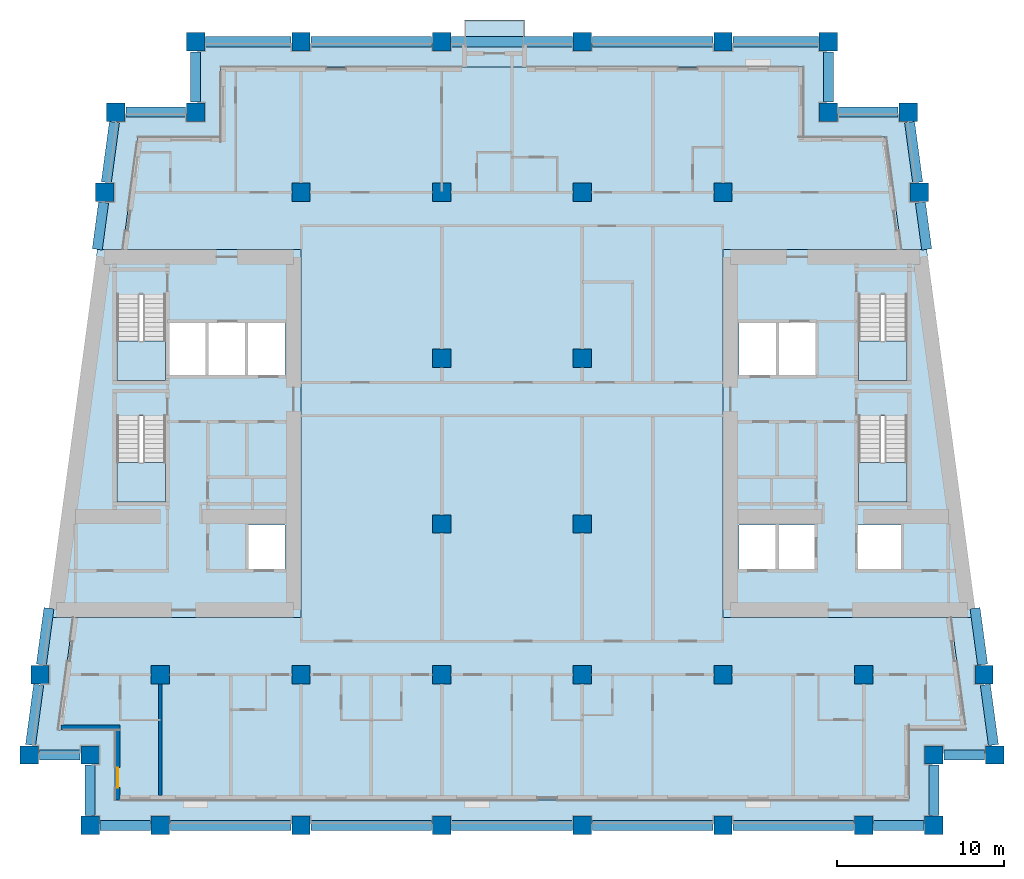
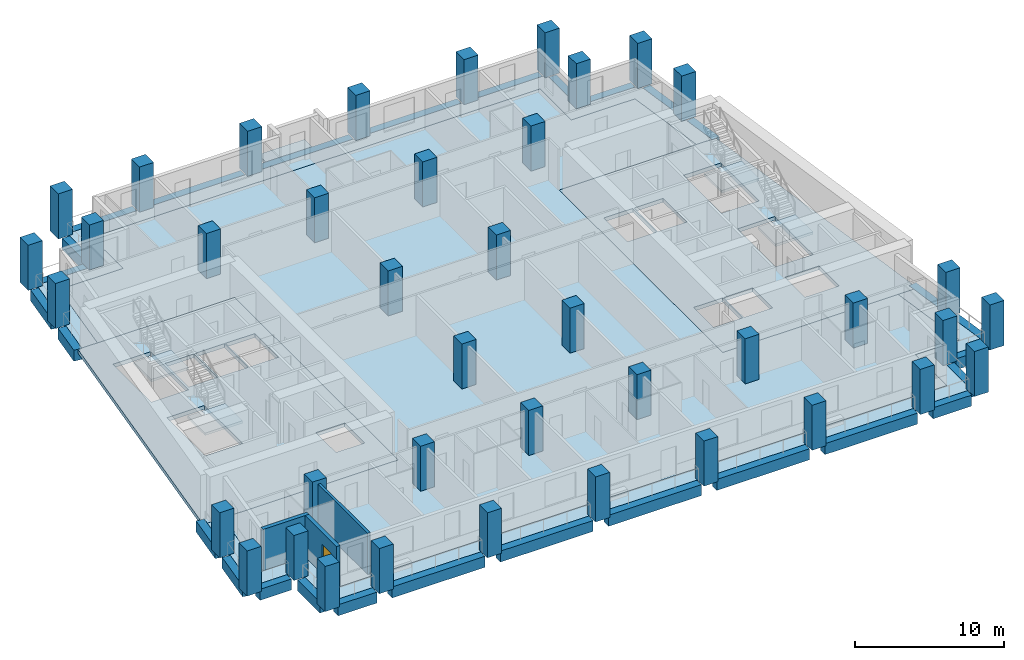
# One storey, part 1 of 12: 40 columns, 28 beams, 10 slabs, 3 walls, 1 door, 1 opening, 4 elements without a shape of their own.
"""IFC4 building model written with IfcOpenShell, lengths in metres."""

from ifc_helpers import new_model, si_unit, direction, frame, frame_2d, origin, origin_2d, place, context, subcontext, project, spatial, polyline, rectangle, outline, extrude, material, layer, layer_set, material_profile, profile_set, type_object, element, fill, aggregate, save


model = new_model("IFC4")

# Units and contexts
model_context = context("Model", 3, precision=1e-05, world=origin(), true_north=direction((0.0, 1.0)))
body_context = subcontext(model_context, "Body", "Model", "MODEL_VIEW")
ifc_project = project(units=[si_unit("LENGTHUNIT", "METRE"), si_unit("AREAUNIT", "SQUARE_METRE"), si_unit("VOLUMEUNIT", "CUBIC_METRE"), si_unit("PLANEANGLEUNIT", "RADIAN"), si_unit("MASSUNIT", "GRAM", prefix="KILO")], contexts=[model_context])

# Site, building, storey
site_placement = place(None, origin())
site = spatial("IfcSite", under=ifc_project, at=site_placement, CompositionType="ELEMENT")
building_placement = place(site_placement, origin())
building = spatial("IfcBuilding", under=site, at=building_placement, Name="Candeia Pilgrim Tower and Theatre", CompositionType="ELEMENT")
storey_placement = place(building_placement, frame((0.0, 0.0, 147.800048828125)))
storey = spatial("IfcBuildingStorey", under=building, at=storey_placement, Name="L34", CompositionType="ELEMENT", Elevation=147.800048828125)

# Columns
ifc_material_1 = material(Name="Concrete C60/75", Category="concrete")
ifc_material_profile_1 = material_profile(ifc_material_1, rectangle(XDim=1.10009765625, YDim=1.10009765625, at=origin_2d()))
ifc_profile_set_1 = profile_set([ifc_material_profile_1], Name="Concrete C60/75")
column_type = type_object("IfcColumnType", Name="RC 1100x1100 C60/75", PredefinedType="COLUMN", material=ifc_profile_set_1)
for number, where, z_axis, x_axis, name in (
    (1, (92.39990234375, 98.0, 0.0), (0.0, 0.0, 1.0), (1.0, 0.0, 0.0), "Column A1"),
    (2, (100.800048828125, 98.0, 0.0), (0.0, 0.0, 1.0), (1.0, 0.0, 0.0), "Column A2"),
    (3, (109.199951171875, 98.0, 0.0), (0.0, 0.0, 1.0), (1.0, 0.0, 0.0), "Column A3"),
    (4, (117.60009765625, 98.0, 0.0), (0.0, 0.0, 1.0), (1.0, 0.0, 0.0), "Column A4"),
    (5, (126.0, 98.0, 0.0), (0.0, 0.0, 1.0), (1.0, 0.0, 0.0), "Column A5"),
    (6, (134.39990234375, 98.0, 0.0), (0.0, 0.0, 1.0), (1.0, 0.0, 0.0), "Column A6"),
    (7, (88.199951171875, 98.0, 0.0), (0.0, 0.0, 1.0), (1.0, 0.0, 0.0), "Column AW"),
    (8, (138.60009765625, 98.0, 0.0), (0.0, 0.0, 1.0), (1.0, 0.0, 0.0), "Column AE"),
    (9, (88.199951171875, 102.199951171875, 0.0), (0.0, 0.0, 1.0), (1.0, 0.0, 0.0), "Column NSW"),
    (10, (138.60009765625, 102.199951171875, 0.0), (0.0, 0.0, 1.0), (1.0, 0.0, 0.0), "Column NSE"),
    (11, (94.5, 140.60009765625, 0.0), (0.0, 0.0, 1.0), (1.0, 0.0, 0.0), "Column NNW"),
    (12, (132.300048828125, 140.60009765625, 0.0), (0.0, 0.0, 1.0), (1.0, 0.0, 0.0), "Column NNE"),
    (13, (84.5654296875, 102.199951171875, 0.0), (0.0, 0.0, 1.0), (1.0, 0.0, 0.0), "Column LSW"),
    (14, (142.234619140625, 102.199951171875, 0.0), (0.0, 0.0, 1.0), (1.0, 0.0, 0.0), "Column LSE"),
    (15, (89.734619140625, 140.60009765625, 0.0), (0.0, 0.0, 1.0), (1.0, 0.0, 0.0), "Column LNW"),
    (16, (137.0654296875, 140.60009765625, 0.0), (0.0, 0.0, 1.0), (1.0, 0.0, 0.0), "Column LNE"),
    (17, (92.39990234375, 107.0, 0.0), (0.0, 0.0, 1.0), (1.0, 0.0, 0.0), "Column B1"),
    (18, (100.800048828125, 107.0, 0.0), (0.0, 0.0, 1.0), (1.0, 0.0, 0.0), "Column B2"),
    (19, (109.199951171875, 107.0, 0.0), (0.0, 0.0, 1.0), (1.0, 0.0, 0.0), "Column B3"),
    (20, (117.60009765625, 107.0, 0.0), (0.0, 0.0, 1.0), (1.0, 0.0, 0.0), "Column B4"),
    (21, (126.0, 107.0, 0.0), (0.0, 0.0, 1.0), (1.0, 0.0, 0.0), "Column B5"),
    (22, (134.39990234375, 107.0, 0.0), (0.0, 0.0, 1.0), (1.0, 0.0, 0.0), "Column B6"),
    (23, (85.21142578125, 107.0, 0.0), (0.0, 0.0, 1.0), (1.0, 0.0, 0.0), "Column BW"),
    (24, (141.58837890625, 107.0, 0.0), (0.0, 0.0, 1.0), (1.0, 0.0, 0.0), "Column BE"),
    (25, (109.199951171875, 116.0, 0.0), (0.0, 0.0, 1.0), (1.0, 0.0, 0.0), "Column C3"),
    (26, (117.60009765625, 116.0, 0.0), (0.0, 0.0, 1.0), (1.0, 0.0, 0.0), "Column C4"),
    (27, (109.199951171875, 125.89990234375, 0.0), (0.0, 0.0, 1.0), (1.0, 0.0, 0.0), "Column D3"),
    (28, (117.60009765625, 125.89990234375, 0.0), (0.0, 0.0, 1.0), (1.0, 0.0, 0.0), "Column D4"),
    (29, (100.800048828125, 135.800048828125, 0.0), (0.0, 0.0, 1.0), (1.0, 0.0, 0.0), "Column E2"),
    (30, (109.199951171875, 135.800048828125, 0.0), (0.0, 0.0, 1.0), (1.0, 0.0, 0.0), "Column E3"),
    (31, (117.60009765625, 135.800048828125, 0.0), (0.0, 0.0, 1.0), (1.0, 0.0, 0.0), "Column E4"),
    (32, (126.0, 135.800048828125, 0.0), (0.0, 0.0, 1.0), (1.0, 0.0, 0.0), "Column E5"),
    (33, (89.08837890625, 135.800048828125, 0.0), (0.0, 0.0, 1.0), (1.0, 0.0, 0.0), "Column EW"),
    (34, (137.71142578125, 135.800048828125, 0.0), (0.0, 0.0, 1.0), (1.0, 0.0, 0.0), "Column EE"),
    (35, (100.800048828125, 144.800048828125, 0.0), (0.0, 0.0, 1.0), (1.0, 0.0, 0.0), "Column F2"),
    (36, (109.199951171875, 144.800048828125, 0.0), (0.0, 0.0, 1.0), (1.0, 0.0, 0.0), "Column F3"),
    (37, (117.60009765625, 144.800048828125, 0.0), (0.0, 0.0, 1.0), (1.0, 0.0, 0.0), "Column F4"),
    (38, (126.0, 144.800048828125, 0.0), (0.0, 0.0, 1.0), (1.0, 0.0, 0.0), "Column F5"),
    (39, (94.5, 144.800048828125, 0.0), (0.0, 0.0, 1.0), (1.0, 0.0, 0.0), "Column FW"),
    (40, (132.300048828125, 144.800048828125, 0.0), (0.0, 0.0, 1.0), (1.0, 0.0, 0.0), "Column FE"),
):
    element("IfcColumn", number, at=place(storey_placement, frame(where, z_axis=z_axis, x_axis=x_axis)), inside=storey, type_object=column_type, Name=name, PredefinedType="COLUMN", context=body_context, shape_type="SweptSolid", body=[
        extrude(rectangle(XDim=1.10009765625, YDim=1.10009765625, at=origin_2d()), origin(), (0.0, 0.0, 1.0), 3.699951171875),
    ])

# Beams
ifc_material_profile_2 = material_profile(ifc_material_1, rectangle(XDim=0.60009765625, YDim=0.89990234375, at=origin_2d()))
ifc_profile_set_2 = profile_set([ifc_material_profile_2], Name="Concrete C60/75")
beam_type = type_object("IfcBeamType", Name="RC 600x900 C60/75", PredefinedType="BEAM", material=ifc_profile_set_2)
beam_1_placement = place(storey_placement, frame((88.800048828125, 98.0, -0.449951171875), z_axis=(1.0, 0.0, 0.0), x_axis=(0.0, 1.0, 0.0)))
element("IfcBeam", 41, at=beam_1_placement, inside=storey, type_object=beam_type, Name="Spandrel beam L34-01", PredefinedType="BEAM", context=body_context, shape_type="SweptSolid", body=[
    extrude(rectangle(XDim=0.60009765625, YDim=0.89990234375, at=origin_2d()), origin(), (0.0, 0.0, 1.0), 3.0),
])
beam_2_placement = place(storey_placement, frame((93.0, 98.0, -0.449951171875), z_axis=(1.0, 0.0, 0.0), x_axis=(0.0, 1.0, 0.0)))
element("IfcBeam", 42, at=beam_2_placement, inside=storey, type_object=beam_type, Name="Spandrel beam L34-02", PredefinedType="BEAM", context=body_context, shape_type="SweptSolid", body=[
    extrude(rectangle(XDim=0.60009765625, YDim=0.89990234375, at=origin_2d()), origin(), (0.0, 0.0, 1.0), 7.199951171875),
])
beam_3_placement = place(storey_placement, frame((101.39990234375, 98.0, -0.449951171875), z_axis=(1.0, 0.0, 0.0), x_axis=(0.0, 1.0, 0.0)))
element("IfcBeam", 43, at=beam_3_placement, inside=storey, type_object=beam_type, Name="Spandrel beam L34-03", PredefinedType="BEAM", context=body_context, shape_type="SweptSolid", body=[
    extrude(rectangle(XDim=0.60009765625, YDim=0.89990234375, at=origin_2d()), origin(), (0.0, 0.0, 1.0), 7.2001953125),
])
for number, where, z_axis, x_axis, name in (
    (44, (109.800048828125, 98.0, -0.449951171875), (1.0, 0.0, 0.0), (0.0, 1.0, 0.0), "Spandrel beam L34-04"),
    (45, (118.199951171875, 98.0, -0.449951171875), (1.0, 0.0, 0.0), (0.0, 1.0, 0.0), "Spandrel beam L34-05"),
    (46, (126.60009765625, 98.0, -0.449951171875), (1.0, 0.0, 0.0), (0.0, 1.0, 0.0), "Spandrel beam L34-06"),
):
    element("IfcBeam", number, at=place(storey_placement, frame(where, z_axis=z_axis, x_axis=x_axis)), inside=storey, type_object=beam_type, Name=name, PredefinedType="BEAM", context=body_context, shape_type="SweptSolid", body=[
        extrude(rectangle(XDim=0.60009765625, YDim=0.89990234375, at=origin_2d()), origin(), (0.0, 0.0, 1.0), 7.199951171875),
    ])
for number, where, z_axis, x_axis, name in (
    (47, (135.0, 98.0, -0.449951171875), (1.0, 0.0, 0.0), (0.0, 1.0, 0.0), "Spandrel beam L34-07"),
    (48, (138.60009765625, 98.60009765625, -0.449951171875), (0.0, 1.0, 0.0), (-1.0, 0.0, 0.0), "Spandrel beam L34-08"),
):
    element("IfcBeam", number, at=place(storey_placement, frame(where, z_axis=z_axis, x_axis=x_axis)), inside=storey, type_object=beam_type, Name=name, PredefinedType="BEAM", context=body_context, shape_type="SweptSolid", body=[
        extrude(rectangle(XDim=0.60009765625, YDim=0.89990234375, at=origin_2d()), origin(), (0.0, 0.0, 1.0), 3.0),
    ])
beam_4_placement = place(storey_placement, frame((139.199951171875, 102.199951171875, -0.449951171875), z_axis=(1.0, 0.0, 0.0), x_axis=(0.0, 1.0, 0.0)))
element("IfcBeam", 49, at=beam_4_placement, inside=storey, type_object=beam_type, Name="Spandrel beam L34-09", PredefinedType="BEAM", context=body_context, shape_type="SweptSolid", body=[
    extrude(rectangle(XDim=0.60009765625, YDim=0.89990234375, at=origin_2d()), origin(), (0.0, 0.0, 1.0), 2.4345703125),
])
beam_5_placement = place(storey_placement, frame((142.15380859375, 102.800048828125, -0.449951171875), z_axis=(-0.133418359924, 0.991059807093, 0.0), x_axis=(-0.991059807093, -0.133418359924, 0.0)))
element("IfcBeam", 50, at=beam_5_placement, inside=storey, type_object=beam_type, Name="Spandrel beam L34-10", PredefinedType="BEAM", context=body_context, shape_type="SweptSolid", body=[
    extrude(rectangle(XDim=0.60009765625, YDim=0.89990234375, at=origin_2d()), origin(), (0.0, 0.0, 1.0), 3.63232421875),
])
beam_6_placement = place(storey_placement, frame((141.5078125, 107.60009765625, -0.449951171875), z_axis=(-0.133458165992, 0.99105444751, 0.0), x_axis=(-0.99105444751, -0.133458165992, 0.0)))
element("IfcBeam", 51, at=beam_6_placement, inside=storey, type_object=beam_type, Name="Spandrel beam L34-11", PredefinedType="BEAM", context=body_context, shape_type="SweptSolid", body=[
    extrude(rectangle(XDim=0.60009765625, YDim=0.89990234375, at=origin_2d()), origin(), (0.0, 0.0, 1.0), 3.39697265625),
])
beam_7_placement = place(storey_placement, frame((138.169189453125, 132.39990234375, -0.449951171875), z_axis=(-0.133420173099, 0.991059562998, 0.0), x_axis=(-0.991059562998, -0.133420173099, 0.0)))
element("IfcBeam", 52, at=beam_7_placement, inside=storey, type_object=beam_type, Name="Spandrel beam L34-12", PredefinedType="BEAM", context=body_context, shape_type="SweptSolid", body=[
    extrude(rectangle(XDim=0.60009765625, YDim=0.89990234375, at=origin_2d()), origin(), (0.0, 0.0, 1.0), 2.8251953125),
])
beam_8_placement = place(storey_placement, frame((137.630859375, 136.39990234375, -0.449951171875), z_axis=(-0.133409473196, 0.991061003401, 0.0), x_axis=(-0.991061003401, -0.133409473196, 0.0)))
element("IfcBeam", 53, at=beam_8_placement, inside=storey, type_object=beam_type, Name="Spandrel beam L34-13", PredefinedType="BEAM", context=body_context, shape_type="SweptSolid", body=[
    extrude(rectangle(XDim=0.60009765625, YDim=0.89990234375, at=origin_2d()), origin(), (0.0, 0.0, 1.0), 3.632568359375),
])
beam_9_placement = place(storey_placement, frame((136.46533203125, 140.60009765625, -0.449951171875), z_axis=(-1.0, 0.0, 0.0), x_axis=(0.0, -1.0, 0.0)))
element("IfcBeam", 54, at=beam_9_placement, inside=storey, type_object=beam_type, Name="Spandrel beam L34-14", PredefinedType="BEAM", context=body_context, shape_type="SweptSolid", body=[
    extrude(rectangle(XDim=0.60009765625, YDim=0.89990234375, at=origin_2d()), origin(), (0.0, 0.0, 1.0), 3.5654296875),
])
beam_10_placement = place(storey_placement, frame((132.300048828125, 141.199951171875, -0.449951171875), z_axis=(0.0, 1.0, 0.0), x_axis=(-1.0, 0.0, 0.0)))
element("IfcBeam", 55, at=beam_10_placement, inside=storey, type_object=beam_type, Name="Spandrel beam L34-15", PredefinedType="BEAM", context=body_context, shape_type="SweptSolid", body=[
    extrude(rectangle(XDim=0.60009765625, YDim=0.89990234375, at=origin_2d()), origin(), (0.0, 0.0, 1.0), 3.0),
])
beam_11_placement = place(storey_placement, frame((131.699951171875, 144.800048828125, -0.449951171875), z_axis=(-1.0, 0.0, 0.0), x_axis=(0.0, -1.0, 0.0)))
element("IfcBeam", 56, at=beam_11_placement, inside=storey, type_object=beam_type, Name="Spandrel beam L34-16", PredefinedType="BEAM", context=body_context, shape_type="SweptSolid", body=[
    extrude(rectangle(XDim=0.60009765625, YDim=0.89990234375, at=origin_2d()), origin(), (0.0, 0.0, 1.0), 5.099853515625),
])
for number, where, z_axis, x_axis, name in (
    (57, (125.39990234375, 144.800048828125, -0.449951171875), (-1.0, 0.0, 0.0), (0.0, -1.0, 0.0), "Spandrel beam L34-17"),
    (58, (117.0, 144.800048828125, -0.449951171875), (-1.0, 0.0, 0.0), (0.0, -1.0, 0.0), "Spandrel beam L34-18"),
):
    element("IfcBeam", number, at=place(storey_placement, frame(where, z_axis=z_axis, x_axis=x_axis)), inside=storey, type_object=beam_type, Name=name, PredefinedType="BEAM", context=body_context, shape_type="SweptSolid", body=[
        extrude(rectangle(XDim=0.60009765625, YDim=0.89990234375, at=origin_2d()), origin(), (0.0, 0.0, 1.0), 7.199951171875),
    ])
beam_12_placement = place(storey_placement, frame((108.60009765625, 144.800048828125, -0.449951171875), z_axis=(-1.0, 0.0, 0.0), x_axis=(0.0, -1.0, 0.0)))
element("IfcBeam", 59, at=beam_12_placement, inside=storey, type_object=beam_type, Name="Spandrel beam L34-19", PredefinedType="BEAM", context=body_context, shape_type="SweptSolid", body=[
    extrude(rectangle(XDim=0.60009765625, YDim=0.89990234375, at=origin_2d()), origin(), (0.0, 0.0, 1.0), 7.2001953125),
])
beam_13_placement = place(storey_placement, frame((100.199951171875, 144.800048828125, -0.449951171875), z_axis=(-1.0, 0.0, 0.0), x_axis=(0.0, -1.0, 0.0)))
element("IfcBeam", 60, at=beam_13_placement, inside=storey, type_object=beam_type, Name="Spandrel beam L34-20", PredefinedType="BEAM", context=body_context, shape_type="SweptSolid", body=[
    extrude(rectangle(XDim=0.60009765625, YDim=0.89990234375, at=origin_2d()), origin(), (0.0, 0.0, 1.0), 5.099853515625),
])
beam_14_placement = place(storey_placement, frame((94.5, 144.199951171875, -0.449951171875), z_axis=(0.0, -1.0, 0.0), x_axis=(1.0, 0.0, 0.0)))
element("IfcBeam", 61, at=beam_14_placement, inside=storey, type_object=beam_type, Name="Spandrel beam L34-21", PredefinedType="BEAM", context=body_context, shape_type="SweptSolid", body=[
    extrude(rectangle(XDim=0.60009765625, YDim=0.89990234375, at=origin_2d()), origin(), (0.0, 0.0, 1.0), 3.0),
])
beam_15_placement = place(storey_placement, frame((93.89990234375, 140.60009765625, -0.449951171875), z_axis=(-1.0, 0.0, 0.0), x_axis=(0.0, -1.0, 0.0)))
element("IfcBeam", 62, at=beam_15_placement, inside=storey, type_object=beam_type, Name="Spandrel beam L34-22", PredefinedType="BEAM", context=body_context, shape_type="SweptSolid", body=[
    extrude(rectangle(XDim=0.60009765625, YDim=0.89990234375, at=origin_2d()), origin(), (0.0, 0.0, 1.0), 3.565185546875),
])
beam_16_placement = place(storey_placement, frame((89.65380859375, 140.0, -0.449951171875), z_axis=(-0.133409473196, -0.991061003401, 0.0), x_axis=(0.991061003401, -0.133409473196, 0.0)))
element("IfcBeam", 63, at=beam_16_placement, inside=storey, type_object=beam_type, Name="Spandrel beam L34-23", PredefinedType="BEAM", context=body_context, shape_type="SweptSolid", body=[
    extrude(rectangle(XDim=0.60009765625, YDim=0.89990234375, at=origin_2d()), origin(), (0.0, 0.0, 1.0), 3.632568359375),
])
beam_17_placement = place(storey_placement, frame((89.0078125, 135.199951171875, -0.449951171875), z_axis=(-0.133420173099, -0.991059562998, 0.0), x_axis=(0.991059562998, -0.133420173099, 0.0)))
element("IfcBeam", 64, at=beam_17_placement, inside=storey, type_object=beam_type, Name="Spandrel beam L34-24", PredefinedType="BEAM", context=body_context, shape_type="SweptSolid", body=[
    extrude(rectangle(XDim=0.60009765625, YDim=0.89990234375, at=origin_2d()), origin(), (0.0, 0.0, 1.0), 2.8251953125),
])
beam_18_placement = place(storey_placement, frame((85.74560546875, 110.966796875, -0.449951171875), z_axis=(-0.133458165992, -0.99105444751, 0.0), x_axis=(0.99105444751, -0.133458165992, 0.0)))
element("IfcBeam", 65, at=beam_18_placement, inside=storey, type_object=beam_type, Name="Spandrel beam L34-25", PredefinedType="BEAM", context=body_context, shape_type="SweptSolid", body=[
    extrude(rectangle(XDim=0.60009765625, YDim=0.89990234375, at=origin_2d()), origin(), (0.0, 0.0, 1.0), 3.39697265625),
])
beam_19_placement = place(storey_placement, frame((85.130859375, 106.39990234375, -0.449951171875), z_axis=(-0.133418359924, -0.991059807093, 0.0), x_axis=(0.991059807093, -0.133418359924, 0.0)))
element("IfcBeam", 66, at=beam_19_placement, inside=storey, type_object=beam_type, Name="Spandrel beam L34-26", PredefinedType="BEAM", context=body_context, shape_type="SweptSolid", body=[
    extrude(rectangle(XDim=0.60009765625, YDim=0.89990234375, at=origin_2d()), origin(), (0.0, 0.0, 1.0), 3.63232421875),
])
beam_20_placement = place(storey_placement, frame((85.165283203125, 102.199951171875, -0.449951171875), z_axis=(1.0, 0.0, 0.0), x_axis=(0.0, 1.0, 0.0)))
element("IfcBeam", 67, at=beam_20_placement, inside=storey, type_object=beam_type, Name="Spandrel beam L34-27", PredefinedType="BEAM", context=body_context, shape_type="SweptSolid", body=[
    extrude(rectangle(XDim=0.60009765625, YDim=0.89990234375, at=origin_2d()), origin(), (0.0, 0.0, 1.0), 2.434814453125),
])
beam_21_placement = place(storey_placement, frame((88.199951171875, 101.60009765625, -0.449951171875), z_axis=(0.0, -1.0, 0.0), x_axis=(1.0, 0.0, 0.0)))
element("IfcBeam", 68, at=beam_21_placement, inside=storey, type_object=beam_type, Name="Spandrel beam L34-28", PredefinedType="BEAM", context=body_context, shape_type="SweptSolid", body=[
    extrude(rectangle(XDim=0.60009765625, YDim=0.89990234375, at=origin_2d()), origin(), (0.0, 0.0, 1.0), 3.0),
])

# Slabs
ifc_material_2 = material(Name="Concrete C40/50", Category="concrete")
ifc_layer_1 = layer(ifc_material_2, 0.25)
ifc_layer_set_1 = layer_set([ifc_layer_1], Name="BK1 balcony slab 250")
slab_type_1 = type_object("IfcSlabType", Name="BK1 balcony slab 250", PredefinedType="USERDEFINED", material=ifc_layer_set_1)
slab_1_placement = place(storey_placement, frame((0.0, 0.0, -0.25)))
element("IfcSlab", 69, at=slab_1_placement, inside=storey, type_object=slab_type_1, Name="Balcony L34", ObjectType="BALCONY", PredefinedType="USERDEFINED", context=body_context, shape_type="SweptSolid", body=[
    extrude(outline(polyline([(110.550048828125, 144.5), (114.14990234375, 144.5), (114.14990234375, 146.10009765625), (110.550048828125, 146.10009765625), (110.550048828125, 144.5)])), origin(), (0.0, 0.0, 1.0), 0.25),
])
ifc_layer_2 = layer(ifc_material_1, 0.320068359375)
ifc_layer_set_2 = layer_set([ifc_layer_2], Name="FS-CORE 320 core floor")
slab_type_2 = type_object("IfcSlabType", Name="FS-CORE 320 core floor", PredefinedType="FLOOR", material=ifc_layer_set_2)
slab_2_placement = place(storey_placement, frame((0.0, 0.0, -0.320068359375)))
element("IfcSlab", 70, at=slab_2_placement, inside=storey, type_object=slab_type_2, Name="Core floor W L34", PredefinedType="FLOOR", context=body_context, shape_type="SweptSolid", body=[
    extrude(outline(polyline([(100.800048828125, 132.39990234375), (100.800048828125, 110.39990234375), (85.669189453125, 110.39990234375), (88.630859375, 132.39990234375), (100.800048828125, 132.39990234375)]), holes=[polyline([(97.59228515625, 128.050048828125), (97.59228515625, 124.85009765625), (99.85009765625, 124.85009765625), (99.85009765625, 128.050048828125), (97.59228515625, 128.050048828125)]), polyline([(97.613525390625, 113.25), (99.85009765625, 113.25), (99.85009765625, 115.949951171875), (97.613525390625, 115.949951171875), (97.613525390625, 113.25)]), polyline([(95.234619140625, 124.85009765625), (97.4921875, 124.85009765625), (97.4921875, 128.050048828125), (95.234619140625, 128.050048828125), (95.234619140625, 124.85009765625)]), polyline([(92.876953125, 128.050048828125), (92.876953125, 124.85009765625), (95.134765625, 124.85009765625), (95.134765625, 128.050048828125), (92.876953125, 128.050048828125)]), polyline([(89.802001953125, 122.455078125), (89.802001953125, 117.324951171875), (92.701904296875, 117.324951171875), (92.701904296875, 122.455078125), (89.802001953125, 122.455078125)]), polyline([(89.802001953125, 129.705078125), (89.802001953125, 124.574951171875), (92.701904296875, 124.574951171875), (92.701904296875, 129.705078125), (89.802001953125, 129.705078125)])]), origin(), (0.0, 0.0, 1.0), 0.320068359375),
])
slab_3_placement = place(storey_placement, frame((0.0, 0.0, -0.320068359375)))
element("IfcSlab", 71, at=slab_3_placement, inside=storey, type_object=slab_type_2, Name="Core floor E L34", PredefinedType="FLOOR", context=body_context, shape_type="SweptSolid", body=[
    extrude(outline(polyline([(138.169189453125, 132.39990234375), (141.130859375, 110.39990234375), (126.0, 110.39990234375), (126.0, 132.39990234375), (138.169189453125, 132.39990234375)]), holes=[polyline([(134.097900390625, 122.455078125), (134.097900390625, 117.324951171875), (136.998046875, 117.324951171875), (136.998046875, 122.455078125), (134.097900390625, 122.455078125)]), polyline([(134.097900390625, 129.705078125), (134.097900390625, 124.574951171875), (136.998046875, 124.574951171875), (136.998046875, 129.705078125), (134.097900390625, 129.705078125)]), polyline([(136.672607421875, 115.949951171875), (134.02294921875, 115.949951171875), (134.02294921875, 113.25), (136.672607421875, 113.25), (136.672607421875, 115.949951171875)]), polyline([(131.565185546875, 128.050048828125), (129.3076171875, 128.050048828125), (129.3076171875, 124.85009765625), (131.565185546875, 124.85009765625), (131.565185546875, 128.050048828125)]), polyline([(131.52294921875, 115.949951171875), (129.28662109375, 115.949951171875), (129.28662109375, 113.25), (131.52294921875, 113.25), (131.52294921875, 115.949951171875)]), polyline([(129.207763671875, 128.050048828125), (126.949951171875, 128.050048828125), (126.949951171875, 124.85009765625), (129.207763671875, 124.85009765625), (129.207763671875, 128.050048828125)]), polyline([(126.949951171875, 115.949951171875), (126.949951171875, 113.25), (129.1865234375, 113.25), (129.1865234375, 115.949951171875), (126.949951171875, 115.949951171875)])]), origin(), (0.0, 0.0, 1.0), 0.320068359375),
])
ifc_material_3 = material(Name="Concrete C50/60", Category="concrete")
ifc_layer_3 = layer(ifc_material_3, 0.320068359375)
ifc_layer_set_3 = layer_set([ifc_layer_3], Name="Floor slab 320 C50/60")
slab_type_3 = type_object("IfcSlabType", Name="Floor slab 320 C50/60", PredefinedType="FLOOR", material=ifc_layer_set_3)
slab_4_placement = place(storey_placement, frame((0.0, 0.0, -0.320068359375)))
element("IfcSlab", 72, at=slab_4_placement, inside=storey, type_object=slab_type_3, Name="Floor slab L34", PredefinedType="FLOOR", context=body_context, shape_type="SweptSolid", body=[
    extrude(outline(polyline([(96.0, 139.10009765625), (96.0, 143.300048828125), (130.800048828125, 143.300048828125), (130.800048828125, 139.10009765625), (135.753662109375, 139.10009765625), (136.65576171875, 132.39990234375), (126.0, 132.39990234375), (126.0, 110.39990234375), (139.6171875, 110.39990234375), (140.51904296875, 103.699951171875), (137.10009765625, 103.699951171875), (137.10009765625, 99.5), (89.699951171875, 99.5), (89.699951171875, 103.699951171875), (86.28076171875, 103.699951171875), (87.182861328125, 110.39990234375), (100.800048828125, 110.39990234375), (100.800048828125, 132.39990234375), (90.144287109375, 132.39990234375), (91.046142578125, 139.10009765625), (96.0, 139.10009765625)])), origin(), (0.0, 0.0, 1.0), 0.320068359375),
])
ifc_layer_4 = layer(ifc_material_2, 0.25)
ifc_layer_set_4 = layer_set([ifc_layer_4], Name="Loggia slab 250 C40/50")
slab_type_4 = type_object("IfcSlabType", Name="Loggia slab 250 C40/50", PredefinedType="FLOOR", material=ifc_layer_set_4)
slab_5_placement = place(storey_placement, frame((0.0, 0.0, -0.25)))
element("IfcSlab", 73, at=slab_5_placement, inside=storey, type_object=slab_type_4, Name="Loggia slab L34 1", PredefinedType="FLOOR", context=body_context, shape_type="SweptSolid", body=[
    extrude(outline(polyline([(87.182861328125, 110.39990234375), (86.28076171875, 103.699951171875), (89.699951171875, 103.699951171875), (89.699951171875, 99.5), (137.10009765625, 99.5), (137.10009765625, 103.699951171875), (140.51904296875, 103.699951171875), (139.6171875, 110.39990234375), (140.828125, 110.39990234375), (141.8916015625, 102.5), (138.300048828125, 102.5), (138.300048828125, 98.300048828125), (88.5, 98.300048828125), (88.5, 102.5), (84.908447265625, 102.5), (85.971923828125, 110.39990234375), (87.182861328125, 110.39990234375)])), origin(), (0.0, 0.0, 1.0), 0.25),
])
slab_6_placement = place(storey_placement, frame((0.0, 0.0, -0.25)))
element("IfcSlab", 74, at=slab_6_placement, inside=storey, type_object=slab_type_4, Name="Loggia slab L34 2", PredefinedType="FLOOR", context=body_context, shape_type="SweptSolid", body=[
    extrude(outline(polyline([(136.65576171875, 132.39990234375), (135.753662109375, 139.10009765625), (130.800048828125, 139.10009765625), (130.800048828125, 143.300048828125), (96.0, 143.300048828125), (96.0, 139.10009765625), (91.046142578125, 139.10009765625), (90.144287109375, 132.39990234375), (88.93359375, 132.39990234375), (89.996826171875, 140.300048828125), (94.800048828125, 140.300048828125), (94.800048828125, 144.5), (132.0, 144.5), (132.0, 140.300048828125), (136.802978515625, 140.300048828125), (137.866455078125, 132.39990234375), (136.65576171875, 132.39990234375)])), origin(), (0.0, 0.0, 1.0), 0.25),
])

# Stair, slab
stair_type = type_object("IfcStairType", Name="ST-TWR dog-leg escape stair", PredefinedType="HALF_TURN_STAIR", material=ifc_material_2)
stair_1_placement = place(storey_placement, origin())
stair_1 = element("IfcStair", 75, at=stair_1_placement, inside=storey, type_object=stair_type, Name="L34 Escape stair ST1", PredefinedType="HALF_TURN_STAIR")
ifc_layer_5 = layer(ifc_material_2, 0.199951171875)
ifc_layer_set_5 = layer_set([ifc_layer_5], Name="SL-LANDING stair landing")
slab_type_5 = type_object("IfcSlabType", Name="SL-LANDING stair landing", PredefinedType="LANDING", material=ifc_layer_set_5)
slab_7_placement = place(storey_placement, frame((0.0, 0.0, 1.64990234375)))
slab_7 = element("IfcSlab", 76, at=slab_7_placement, type_object=slab_type_5, Name="ST1 landing 1", PredefinedType="LANDING", context=body_context, shape_type="SweptSolid", body=[
    extrude(outline(polyline([(89.802001953125, 119.675048828125), (89.802001953125, 117.324951171875), (92.701904296875, 117.324951171875), (92.701904296875, 119.675048828125), (89.802001953125, 119.675048828125)])), origin(), (0.0, 0.0, 1.0), 0.199951171875),
])
aggregate(stair_1, [slab_7])

stair_2_placement = place(storey_placement, origin())
stair_2 = element("IfcStair", 77, at=stair_2_placement, inside=storey, type_object=stair_type, Name="L34 Escape stair ST2", PredefinedType="HALF_TURN_STAIR")
slab_8_placement = place(storey_placement, frame((0.0, 0.0, 1.64990234375)))
slab_8 = element("IfcSlab", 78, at=slab_8_placement, type_object=slab_type_5, Name="ST2 landing 1", PredefinedType="LANDING", context=body_context, shape_type="SweptSolid", body=[
    extrude(outline(polyline([(89.802001953125, 126.925048828125), (89.802001953125, 124.574951171875), (92.701904296875, 124.574951171875), (92.701904296875, 126.925048828125), (89.802001953125, 126.925048828125)])), origin(), (0.0, 0.0, 1.0), 0.199951171875),
])
aggregate(stair_2, [slab_8])

stair_3_placement = place(storey_placement, origin())
stair_3 = element("IfcStair", 79, at=stair_3_placement, inside=storey, type_object=stair_type, Name="L34 Escape stair ST3", PredefinedType="HALF_TURN_STAIR")
slab_9_placement = place(storey_placement, frame((0.0, 0.0, 1.64990234375)))
slab_9 = element("IfcSlab", 80, at=slab_9_placement, type_object=slab_type_5, Name="ST3 landing 1", PredefinedType="LANDING", context=body_context, shape_type="SweptSolid", body=[
    extrude(outline(polyline([(134.097900390625, 119.675048828125), (134.097900390625, 117.324951171875), (136.998046875, 117.324951171875), (136.998046875, 119.675048828125), (134.097900390625, 119.675048828125)])), origin(), (0.0, 0.0, 1.0), 0.199951171875),
])
aggregate(stair_3, [slab_9])

stair_4_placement = place(storey_placement, origin())
stair_4 = element("IfcStair", 81, at=stair_4_placement, inside=storey, type_object=stair_type, Name="L34 Escape stair ST4", PredefinedType="HALF_TURN_STAIR")
slab_10_placement = place(storey_placement, frame((0.0, 0.0, 1.64990234375)))
slab_10 = element("IfcSlab", 82, at=slab_10_placement, type_object=slab_type_5, Name="ST4 landing 1", PredefinedType="LANDING", context=body_context, shape_type="SweptSolid", body=[
    extrude(outline(polyline([(134.097900390625, 126.925048828125), (134.097900390625, 124.574951171875), (136.998046875, 124.574951171875), (136.998046875, 126.925048828125), (134.097900390625, 126.925048828125)])), origin(), (0.0, 0.0, 1.0), 0.199951171875),
])
aggregate(stair_4, [slab_10])

# Wall
ifc_material_4 = material(Name="Ceramic block masonry", Category="masonry")
ifc_layer_6 = layer(ifc_material_4, 0.300048828125)
ifc_layer_set_6 = layer_set([ifc_layer_6], Name="EW1 glazing-line wall 300")
wall_type_1 = type_object("IfcWallType", Name="EW1 glazing-line wall 300", PredefinedType="SOLIDWALL", material=ifc_layer_set_6)
wall_1_placement = place(storey_placement, frame((86.452392578125, 103.85009765625, 0.0), z_axis=(0.0, 0.0, 1.0), x_axis=(1.0, 0.0, 0.0)))
element("IfcWall", 83, at=wall_1_placement, inside=storey, type_object=wall_type_1, Name="External wall L34-10.0", PredefinedType="SOLIDWALL", context=body_context, shape_type="SweptSolid", body=[
    extrude(rectangle(XDim=3.547607421875, YDim=0.300048828125, at=frame_2d((1.77392578125, 0.0))), origin(), (0.0, 0.0, 1.0), 3.3798828125),
])

# Wall, opening, door
wall_2_placement = place(storey_placement, frame((89.85009765625, 103.85009765625, 0.0), z_axis=(0.0, 0.0, 1.0), x_axis=(0.0, -1.0, 0.0)))
wall_2 = element("IfcWall", 84, at=wall_2_placement, inside=storey, type_object=wall_type_1, Name="External wall L34-11.0", PredefinedType="SOLIDWALL", context=body_context, shape_type="SweptSolid", body=[
    extrude(rectangle(XDim=4.35009765625, YDim=0.300048828125, at=frame_2d((2.175048828125, 0.0))), origin(), (0.0, 0.0, 1.0), 3.3798828125),
])
opening_placement = place(wall_2_placement, frame((2.39990234375, 0.0, 0.0)))
opening = element("IfcOpeningElement", 85, at=opening_placement, cuts=wall_2, Name="Opening L34-ED334", PredefinedType="OPENING", context=body_context, shape_type="SweptSolid", body=[
    extrude(rectangle(XDim=1.199951171875, YDim=2.39990234375, at=frame_2d((0.60009765625, 1.199951171875))), frame((0.0, 0.16015625, 0.0), z_axis=(0.0, -1.0, 0.0), x_axis=(1.0, 0.0, 0.0)), (0.0, 0.0, 1.0), 0.320068359375),
])
ifc_material_5 = material(Name="Aluminium framed glazed door", Category="aluminium")
door_type = type_object("IfcDoorType", Name="Loggia door 1200x2400", OperationType="DOUBLE_DOOR_SINGLE_SWING", PredefinedType="DOOR", material=ifc_material_5)
door_placement = place(opening_placement, origin())
door = element("IfcDoor", 86, at=door_placement, inside=storey, type_object=door_type, Name="Loggia door L34-ED334", OperationType="DOUBLE_DOOR_SINGLE_SWING", OverallHeight=2.39990234375, OverallWidth=1.199951171875, PredefinedType="DOOR", context=body_context, shape_type="SweptSolid", body=[
    extrude(rectangle(XDim=1.199951171875, YDim=2.39990234375, at=frame_2d((0.60009765625, 1.199951171875))), frame((0.0, 0.02490234375, 0.0), z_axis=(0.0, -1.0, 0.0), x_axis=(1.0, 0.0, 0.0)), (0.0, 0.0, 1.0), 0.050048828125),
])
fill(opening, door)

# Wall
ifc_material_6 = material(Name="Gypsum board partition on steel studs", Category="steel")
ifc_layer_7 = layer(ifc_material_6, 0.199951171875)
ifc_layer_set_7 = layer_set([ifc_layer_7], Name="PW-200 party wall")
wall_type_2 = type_object("IfcWallType", Name="PW-200 party wall", PredefinedType="PARTITIONING", material=ifc_layer_set_7)
wall_3_placement = place(storey_placement, frame((92.39990234375, 99.7900390625, 0.0), z_axis=(0.0, 0.0, 1.0), x_axis=(0.0, 1.0, 0.0)))
element("IfcWall", 87, at=wall_3_placement, inside=storey, type_object=wall_type_2, Name="Party wall L34-052", PredefinedType="PARTITIONING", context=body_context, shape_type="SweptSolid", body=[
    extrude(rectangle(XDim=7.135009765625, YDim=0.199951171875, at=frame_2d((3.5673828125, 0.0))), origin(), (0.0, 0.0, 1.0), 3.3798828125),
])

save(model, "model.ifc")
